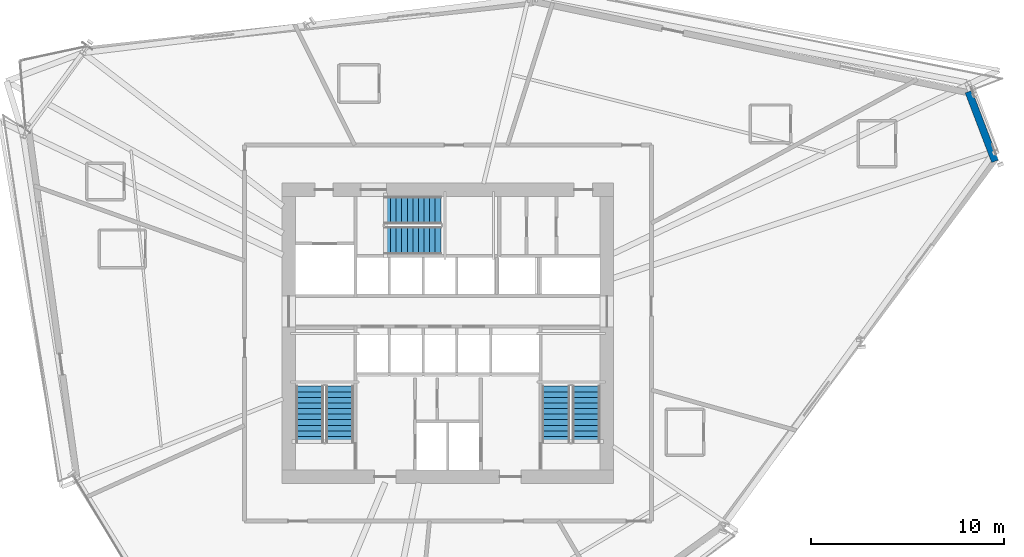
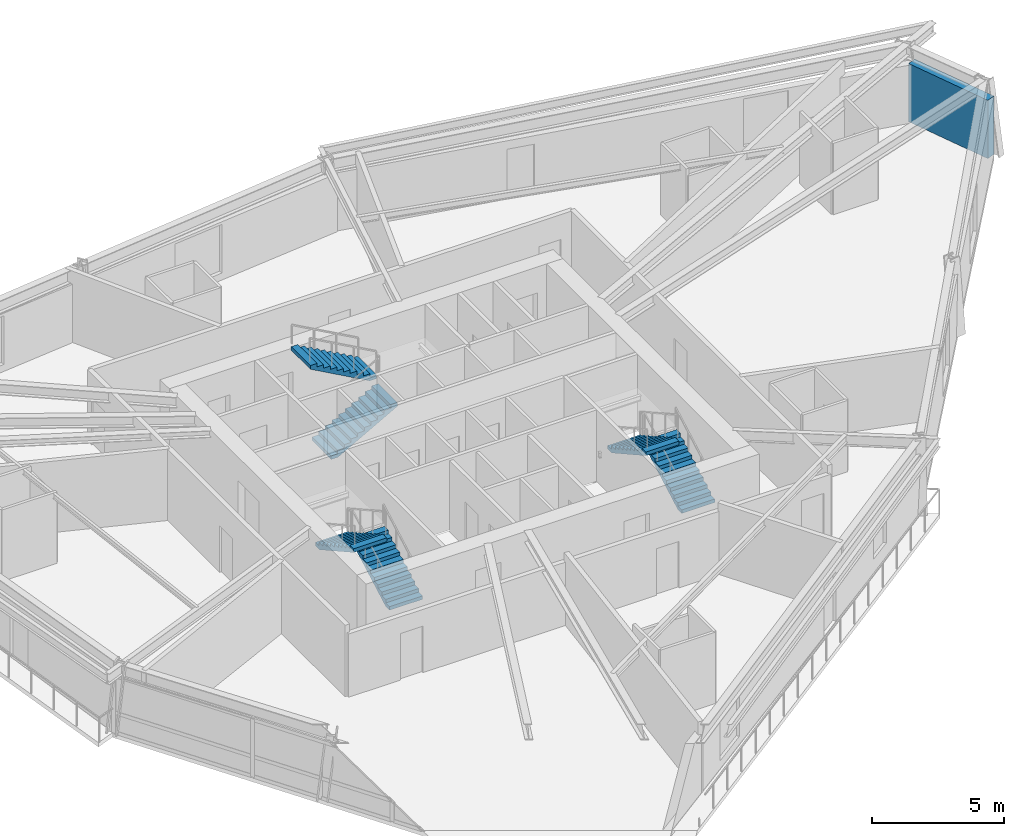
# One storey, part 15 of 18: 6 stair flights, 1 wall, 3 elements without a shape of their own.
"""IFC4 building model written with IfcOpenShell, lengths in metres."""

from ifc_helpers import new_model, si_unit, direction, frame, frame_2d, origin, place, context, subcontext, project, spatial, polyline, rectangle, outline, extrude, material, layer, layer_set, type_object, element, aggregate, save


model = new_model("IFC4")

# Units and contexts
model_context = context("Model", 3, precision=1e-05, world=origin(), true_north=direction((0.0, 1.0)))
body_context = subcontext(model_context, "Body", "Model", "MODEL_VIEW")
ifc_project = project(units=[si_unit("LENGTHUNIT", "METRE"), si_unit("AREAUNIT", "SQUARE_METRE"), si_unit("VOLUMEUNIT", "CUBIC_METRE"), si_unit("PLANEANGLEUNIT", "RADIAN"), si_unit("MASSUNIT", "GRAM", prefix="KILO")], contexts=[model_context])

# Site, building, storey
site_placement = place(None, origin())
site = spatial("IfcSite", under=ifc_project, at=site_placement, CompositionType="ELEMENT")
building_placement = place(site_placement, origin())
building = spatial("IfcBuilding", under=site, at=building_placement, Name="Olszyna Solenne Hotel", CompositionType="ELEMENT")
storey_placement = place(building_placement, frame((0.0, 0.0, 119.89990234375)))
storey = spatial("IfcBuildingStorey", under=building, at=storey_placement, Name="L31", CompositionType="ELEMENT", Elevation=119.89990234375)

# Wall
ifc_material_1 = material(Name="Terracotta cladding on precast concrete C45/55", Category="masonry")
ifc_layer = layer(ifc_material_1, 0.3798828125, Name="Terracotta cladding on precast concrete C45/55")
ifc_layer_set = layer_set([ifc_layer], Name="Terracotta cladding on precast concrete C45/55")
wall_type = type_object("IfcWallType", Name="WL-EX380", PredefinedType="SOLIDWALL", material=ifc_layer_set)
wall_placement = place(storey_placement, frame((65.003173828125, 39.126220703125, 0.0), z_axis=(0.0, 0.0, 1.0), x_axis=(0.355929661072, -0.934512748104, 0.0)))
element("IfcWall", 1, at=wall_placement, inside=storey, type_object=wall_type, Name="Exterior terracotta-precast frame wall WL-EX380 EW-L31-09", PredefinedType="SOLIDWALL", context=body_context, shape_type="SweptSolid", body=[
    extrude(rectangle(XDim=3.865234375, YDim=0.3798828125, at=frame_2d((1.9326171875, 0.0))), origin(), (0.0, 0.0, 1.0), 2.692138671875),
])

# Stair, stair flights
ifc_material_2 = material(Name="Concrete C40/50", Category="concrete")
stair_type = type_object("IfcStairType", Name="STR-C1", PredefinedType="TWO_QUARTER_WINDING_STAIR", material=ifc_material_2)
stair_1_placement = place(storey_placement, origin())
stair_1 = element("IfcStair", 2, at=stair_1_placement, inside=storey, type_object=stair_type, Name="L31 ST1", PredefinedType="TWO_QUARTER_WINDING_STAIR")
stair_flight_type = type_object("IfcStairFlightType", Name="FLT-C1", PredefinedType="STRAIGHT", material=ifc_material_2)
stair_flight_1_placement = place(storey_placement, frame((32.39501953125, 20.949951171875, 0.0), z_axis=(0.0, 0.0, 1.0), x_axis=(0.0, 1.0, 0.0)))
stair_flight_1 = element("IfcStairFlight", 3, at=stair_flight_1_placement, type_object=stair_flight_type, Name="ST1 flight 1", NumberOfRisers=11, NumberOfTreads=10, PredefinedType="STRAIGHT", RiserHeight=0.161363636, TreadLength=0.29, context=body_context, shape_type="SweptSolid", body=[
    extrude(outline(polyline([(0.0, 0.0), (0.0, 0.161376953125), (0.2900390625, 0.161376953125), (0.2900390625, 0.32275390625), (0.580078125, 0.32275390625), (0.580078125, 0.484130859375), (0.8701171875, 0.484130859375), (0.8701171875, 0.6455078125), (1.159912109375, 0.6455078125), (1.159912109375, 0.806884765625), (1.449951171875, 0.806884765625), (1.449951171875, 0.96826171875), (1.739990234375, 0.96826171875), (1.739990234375, 1.129638671875), (2.030029296875, 1.129638671875), (2.030029296875, 1.291015625), (2.320068359375, 1.291015625), (2.320068359375, 1.452392578125), (2.610107421875, 1.452392578125), (2.610107421875, 1.613525390625), (2.89990234375, 1.613525390625), (2.89990234375, 1.77490234375), (2.89990234375, 1.442138671875), (0.308349609375, 0.0), (0.0, 0.0)])), frame((0.0, 0.72509765625, 0.0), z_axis=(0.0, -1.0, 0.0), x_axis=(1.0, 0.0, 0.0)), (0.0, 0.0, 1.0), 1.449951171875),
])
stair_flight_2_placement = place(storey_placement, frame((30.824951171875, 23.85009765625, 1.775146484375), z_axis=(0.0, 0.0, 1.0), x_axis=(0.0, -1.0, 0.0)))
stair_flight_2 = element("IfcStairFlight", 4, at=stair_flight_2_placement, type_object=stair_flight_type, Name="ST1 flight 2", NumberOfRisers=11, NumberOfTreads=10, PredefinedType="STRAIGHT", RiserHeight=0.161363636, TreadLength=0.29, context=body_context, shape_type="SweptSolid", body=[
    extrude(outline(polyline([(0.0, 0.0), (0.0, 0.161376953125), (0.2900390625, 0.161376953125), (0.2900390625, 0.32275390625), (0.580078125, 0.32275390625), (0.580078125, 0.484130859375), (0.8701171875, 0.484130859375), (0.8701171875, 0.6455078125), (1.159912109375, 0.6455078125), (1.159912109375, 0.806884765625), (1.449951171875, 0.806884765625), (1.449951171875, 0.96826171875), (1.739990234375, 0.96826171875), (1.739990234375, 1.129638671875), (2.030029296875, 1.129638671875), (2.030029296875, 1.291015625), (2.320068359375, 1.291015625), (2.320068359375, 1.452392578125), (2.610107421875, 1.452392578125), (2.610107421875, 1.613525390625), (2.89990234375, 1.613525390625), (2.89990234375, 1.77490234375), (2.89990234375, 1.442138671875), (0.308349609375, 0.0), (0.0, 0.0)])), frame((0.0, 0.72509765625, 0.0), z_axis=(0.0, -1.0, 0.0), x_axis=(1.0, 0.0, 0.0)), (0.0, 0.0, 1.0), 1.449951171875),
])
aggregate(stair_1, [stair_flight_1, stair_flight_2])

stair_2_placement = place(storey_placement, origin())
stair_2 = element("IfcStair", 5, at=stair_2_placement, inside=storey, type_object=stair_type, Name="L31 ST2", PredefinedType="TWO_QUARTER_WINDING_STAIR")
stair_flight_3_placement = place(storey_placement, frame((45.175048828125, 20.949951171875, 0.0), z_axis=(0.0, 0.0, 1.0), x_axis=(0.0, 1.0, 0.0)))
stair_flight_3 = element("IfcStairFlight", 6, at=stair_flight_3_placement, type_object=stair_flight_type, Name="ST2 flight 1", NumberOfRisers=11, NumberOfTreads=10, PredefinedType="STRAIGHT", RiserHeight=0.161363636, TreadLength=0.29, context=body_context, shape_type="SweptSolid", body=[
    extrude(outline(polyline([(0.0, 0.0), (0.0, 0.161376953125), (0.2900390625, 0.161376953125), (0.2900390625, 0.32275390625), (0.580078125, 0.32275390625), (0.580078125, 0.484130859375), (0.8701171875, 0.484130859375), (0.8701171875, 0.6455078125), (1.159912109375, 0.6455078125), (1.159912109375, 0.806884765625), (1.449951171875, 0.806884765625), (1.449951171875, 0.96826171875), (1.739990234375, 0.96826171875), (1.739990234375, 1.129638671875), (2.030029296875, 1.129638671875), (2.030029296875, 1.291015625), (2.320068359375, 1.291015625), (2.320068359375, 1.452392578125), (2.610107421875, 1.452392578125), (2.610107421875, 1.613525390625), (2.89990234375, 1.613525390625), (2.89990234375, 1.77490234375), (2.89990234375, 1.442138671875), (0.308349609375, 0.0), (0.0, 0.0)])), frame((0.0, 0.72509765625, 0.0), z_axis=(0.0, -1.0, 0.0), x_axis=(1.0, 0.0, 0.0)), (0.0, 0.0, 1.0), 1.449951171875),
])
stair_flight_4_placement = place(storey_placement, frame((43.60498046875, 23.85009765625, 1.775146484375), z_axis=(0.0, 0.0, 1.0), x_axis=(0.0, -1.0, 0.0)))
stair_flight_4 = element("IfcStairFlight", 7, at=stair_flight_4_placement, type_object=stair_flight_type, Name="ST2 flight 2", NumberOfRisers=11, NumberOfTreads=10, PredefinedType="STRAIGHT", RiserHeight=0.161363636, TreadLength=0.29, context=body_context, shape_type="SweptSolid", body=[
    extrude(outline(polyline([(0.0, 0.0), (0.0, 0.161376953125), (0.2900390625, 0.161376953125), (0.2900390625, 0.32275390625), (0.580078125, 0.32275390625), (0.580078125, 0.484130859375), (0.8701171875, 0.484130859375), (0.8701171875, 0.6455078125), (1.159912109375, 0.6455078125), (1.159912109375, 0.806884765625), (1.449951171875, 0.806884765625), (1.449951171875, 0.96826171875), (1.739990234375, 0.96826171875), (1.739990234375, 1.129638671875), (2.030029296875, 1.129638671875), (2.030029296875, 1.291015625), (2.320068359375, 1.291015625), (2.320068359375, 1.452392578125), (2.610107421875, 1.452392578125), (2.610107421875, 1.613525390625), (2.89990234375, 1.613525390625), (2.89990234375, 1.77490234375), (2.89990234375, 1.442138671875), (0.308349609375, 0.0), (0.0, 0.0)])), frame((0.0, 0.72509765625, 0.0), z_axis=(0.0, -1.0, 0.0), x_axis=(1.0, 0.0, 0.0)), (0.0, 0.0, 1.0), 1.449951171875),
])
aggregate(stair_2, [stair_flight_3, stair_flight_4])

stair_3_placement = place(storey_placement, origin())
stair_3 = element("IfcStair", 8, at=stair_3_placement, inside=storey, type_object=stair_type, Name="L31 ST3", PredefinedType="TWO_QUARTER_WINDING_STAIR")
stair_flight_5_placement = place(storey_placement, frame((34.72998046875, 31.405029296875, 0.0), z_axis=(0.0, 0.0, 1.0), x_axis=(1.0, 0.0, 0.0)))
stair_flight_5 = element("IfcStairFlight", 9, at=stair_flight_5_placement, type_object=stair_flight_type, Name="ST3 flight 1", NumberOfRisers=11, NumberOfTreads=10, PredefinedType="STRAIGHT", RiserHeight=0.161363636, TreadLength=0.29, context=body_context, shape_type="SweptSolid", body=[
    extrude(outline(polyline([(0.0, 0.0), (0.0, 0.161376953125), (0.2900390625, 0.161376953125), (0.2900390625, 0.32275390625), (0.580078125, 0.32275390625), (0.580078125, 0.484130859375), (0.8701171875, 0.484130859375), (0.8701171875, 0.6455078125), (1.159912109375, 0.6455078125), (1.159912109375, 0.806884765625), (1.449951171875, 0.806884765625), (1.449951171875, 0.96826171875), (1.739990234375, 0.96826171875), (1.739990234375, 1.129638671875), (2.030029296875, 1.129638671875), (2.030029296875, 1.291015625), (2.320068359375, 1.291015625), (2.320068359375, 1.452392578125), (2.610107421875, 1.452392578125), (2.610107421875, 1.613525390625), (2.89990234375, 1.613525390625), (2.89990234375, 1.77490234375), (2.89990234375, 1.442138671875), (0.308349609375, 0.0), (0.0, 0.0)])), frame((0.0, 0.72509765625, 0.0), z_axis=(0.0, -1.0, 0.0), x_axis=(1.0, 0.0, 0.0)), (0.0, 0.0, 1.0), 1.449951171875),
])
stair_flight_6_placement = place(storey_placement, frame((37.6298828125, 32.97509765625, 1.775146484375), z_axis=(0.0, 0.0, 1.0), x_axis=(-1.0, 0.0, 0.0)))
stair_flight_6 = element("IfcStairFlight", 10, at=stair_flight_6_placement, type_object=stair_flight_type, Name="ST3 flight 2", NumberOfRisers=11, NumberOfTreads=10, PredefinedType="STRAIGHT", RiserHeight=0.161363636, TreadLength=0.29, context=body_context, shape_type="SweptSolid", body=[
    extrude(outline(polyline([(0.0, 0.0), (0.0, 0.161376953125), (0.2900390625, 0.161376953125), (0.2900390625, 0.32275390625), (0.580078125, 0.32275390625), (0.580078125, 0.484130859375), (0.8701171875, 0.484130859375), (0.8701171875, 0.6455078125), (1.159912109375, 0.6455078125), (1.159912109375, 0.806884765625), (1.449951171875, 0.806884765625), (1.449951171875, 0.96826171875), (1.739990234375, 0.96826171875), (1.739990234375, 1.129638671875), (2.030029296875, 1.129638671875), (2.030029296875, 1.291015625), (2.320068359375, 1.291015625), (2.320068359375, 1.452392578125), (2.610107421875, 1.452392578125), (2.610107421875, 1.613525390625), (2.89990234375, 1.613525390625), (2.89990234375, 1.77490234375), (2.89990234375, 1.442138671875), (0.308349609375, 0.0), (0.0, 0.0)])), frame((0.0, 0.72509765625, 0.0), z_axis=(0.0, -1.0, 0.0), x_axis=(1.0, 0.0, 0.0)), (0.0, 0.0, 1.0), 1.449951171875),
])
aggregate(stair_3, [stair_flight_5, stair_flight_6])

save(model, "model.ifc")
